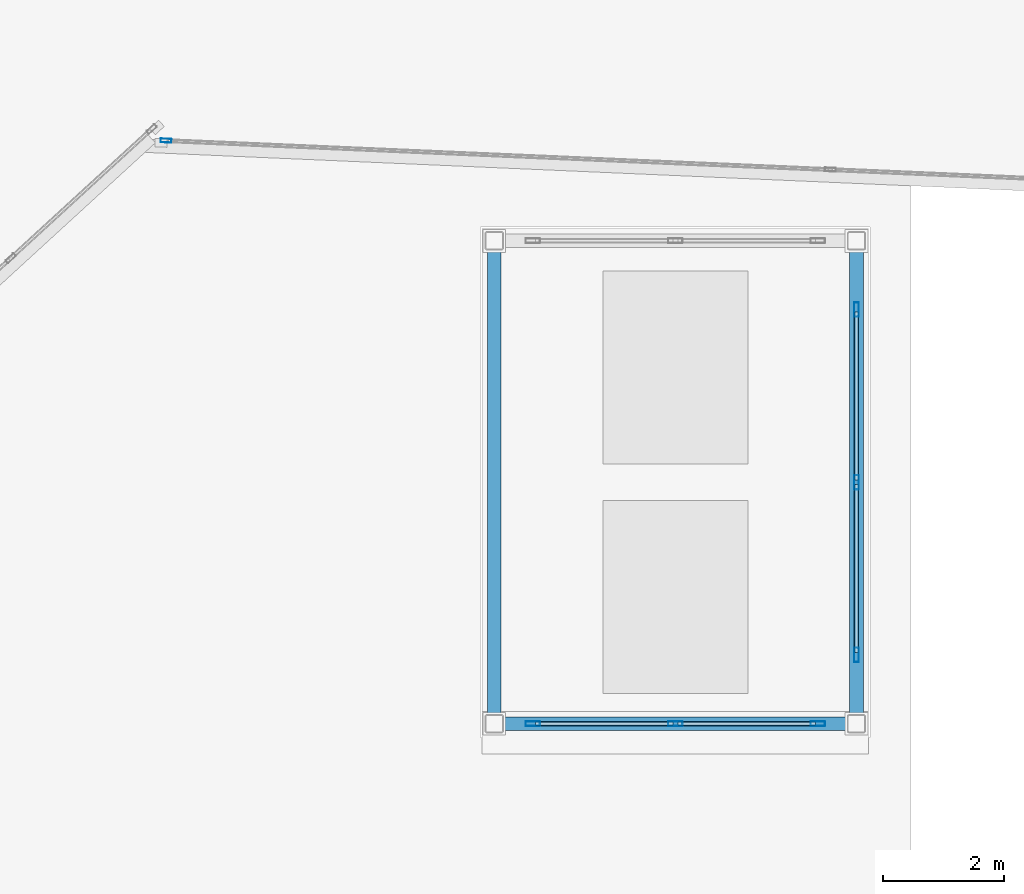
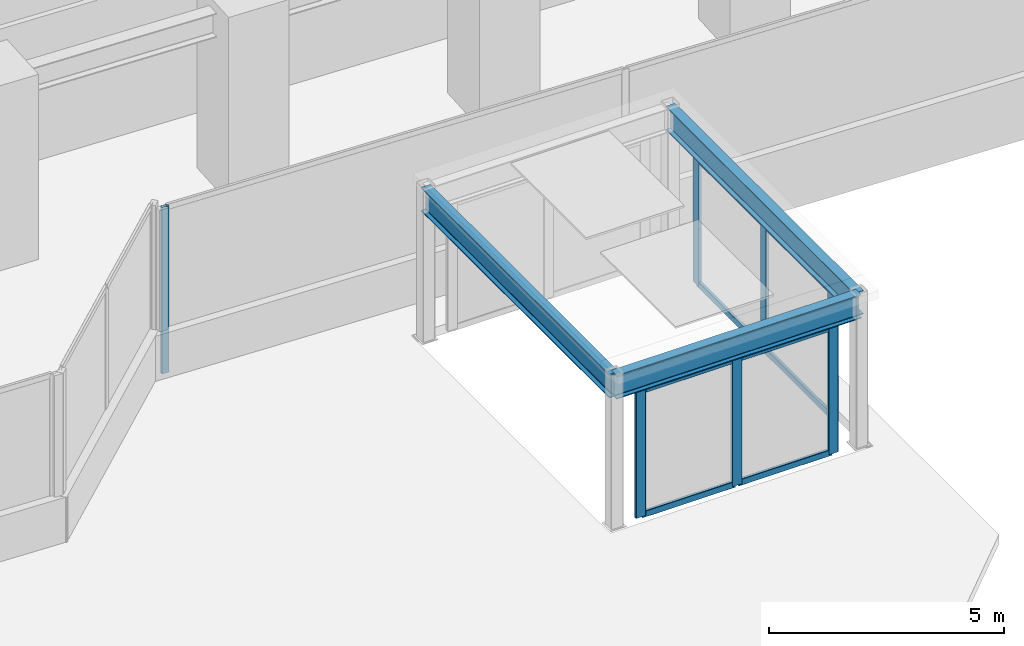
# One storey, part 10 of 33: 15 members, 3 beams, 3 elements without a shape of their own.
"""IFC4 building model written with IfcOpenShell, lengths in metres."""

from ifc_helpers import new_model, si_unit, direction, frame, origin, origin_2d, place, context, subcontext, project, spatial, hollow_rectangle, i_section, extrude, source, transform, mapped, material, material_profile, profile_set, type_object, element, aggregate, save


model = new_model("IFC4")

# Units and contexts
model_context = context("Model", 3, precision=1e-05, world=origin(), true_north=direction((0.0, 1.0)))
body_context = subcontext(model_context, "Body", "Model", "MODEL_VIEW")
ifc_project = project(units=[si_unit("LENGTHUNIT", "METRE"), si_unit("AREAUNIT", "SQUARE_METRE"), si_unit("VOLUMEUNIT", "CUBIC_METRE"), si_unit("PLANEANGLEUNIT", "RADIAN"), si_unit("MASSUNIT", "GRAM", prefix="KILO")], contexts=[model_context])

# Site, building, storey
site_placement = place(None, origin())
site = spatial("IfcSite", under=ifc_project, at=site_placement, CompositionType="ELEMENT")
building_placement = place(site_placement, origin())
building = spatial("IfcBuilding", under=site, at=building_placement, Name="Torre Montelarca", CompositionType="ELEMENT")
storey_placement = place(building_placement, frame((0.0, 0.0, 32.800048828125)))
storey = spatial("IfcBuildingStorey", under=building, at=storey_placement, Name="L07", CompositionType="ELEMENT", Elevation=32.800048828125)

# Beams
ifc_material_1 = material(Name="Steel ASTM A992 Grade 50", Category="steel")
ifc_material_profile_1 = material_profile(ifc_material_1, i_section(OverallWidth=0.22998046875, OverallDepth=0.616943359375, WebThickness=0.01318359375, FlangeThickness=0.022216796875, FilletRadius=0.014892578125, at=origin_2d()), Name="W610X140", Category="steel")
ifc_profile_set_1 = profile_set([ifc_material_profile_1], Name="Steel ASTM A992 Grade 50")
beam_type = type_object("IfcBeamType", Name="BM-G-W610-EXT", PredefinedType="BEAM", material=ifc_profile_set_1)
shared_shape_1 = source(origin(), body_context, "Body", "SweptSolid", [
    extrude(i_section(OverallWidth=0.22998046875, OverallDepth=0.616943359375, WebThickness=0.01318359375, FlangeThickness=0.022216796875, FilletRadius=0.014892578125, at=origin_2d()), origin(), (0.0, 0.0, 1.0), 6.0),
])
beam_placement = place(storey_placement, frame((42.0, 8.0, 3.63134765625), z_axis=(1.0, 0.0, 0.0), x_axis=(0.0, 1.0, 0.0)))
element("IfcBeam", 1, at=beam_placement, inside=storey, type_object=beam_type, Name="L07 Exchange Atrium Lantern Ring Beam 1", PredefinedType="BEAM", context=body_context, shape_type="MappedRepresentation", body=[
    mapped(shared_shape_1, transform((0.0, 0.0, 0.0), scale=1.0)),
])
shared_shape_2 = source(origin(), body_context, "Body", "SweptSolid", [
    extrude(i_section(OverallWidth=0.22998046875, OverallDepth=0.616943359375, WebThickness=0.01318359375, FlangeThickness=0.022216796875, FilletRadius=0.014892578125, at=origin_2d()), origin(), (0.0, 0.0, 1.0), 8.0),
])
for number, where, z_axis, x_axis, name in (
    (2, (48.0, 8.0, 3.63134765625), (0.0, 1.0, 0.0), (-1.0, 0.0, 0.0), "L07 Exchange Atrium Lantern Ring Beam 2"),
    (3, (42.0, 16.0, 3.63134765625), (0.0, -1.0, 0.0), (1.0, 0.0, 0.0), "L07 Exchange Atrium Lantern Ring Beam 4"),
):
    element("IfcBeam", number, at=place(storey_placement, frame(where, z_axis=z_axis, x_axis=x_axis)), inside=storey, type_object=beam_type, Name=name, PredefinedType="BEAM", context=body_context, shape_type="MappedRepresentation", body=[
        mapped(shared_shape_2, transform((0.0, 0.0, 0.0), scale=1.0)),
    ])

# Curtain wall, member
ifc_material_2 = material(Name="Insulated low-E laminated glass", Category="glass")
curtain_wall_type_1 = type_object("IfcCurtainWallType", Name="CW-SYS-Z1", PredefinedType="USERDEFINED", material=ifc_material_2)
curtain_wall_1_placement = place(storey_placement, origin())
curtain_wall_1 = element("IfcCurtainWall", 4, at=curtain_wall_1_placement, inside=storey, type_object=curtain_wall_type_1, Name="L07 Curtain Wall Run CW-T3-L07-E04-B1", ObjectType="UNITISED GLAZING", PredefinedType="USERDEFINED")
ifc_material_3 = material(Name="Anodised aluminium AA 6063-T6", Category="aluminium")
ifc_material_profile_2 = material_profile(ifc_material_3, hollow_rectangle(XDim=0.06494140625, YDim=0.179931640625, WallThickness=0.00390625, InnerFilletRadius=0.00390625, OuterFilletRadius=0.008056640625, at=origin_2d()), Name="ALU65X180X4", Category="aluminium")
ifc_profile_set_2 = profile_set([ifc_material_profile_2], Name="Anodised aluminium AA 6063-T6")
member_type_1 = type_object("IfcMemberType", Name="CWM-ALU180", PredefinedType="MULLION", material=ifc_profile_set_2)
shared_shape_3 = source(origin(), body_context, "Body", "SweptSolid", [
    extrude(hollow_rectangle(XDim=0.06494140625, YDim=0.179931640625, WallThickness=0.00390625, InnerFilletRadius=0.00390625, OuterFilletRadius=0.008056640625, at=origin_2d()), origin(), (0.0, 0.0, 1.0), 4.320068359375),
])
member_1_placement = place(storey_placement, frame((36.5634765625, 17.6591796875, 0.0), z_axis=(0.0, 0.0, 1.0), x_axis=(0.043617352644, 0.999048310418, 0.0)))
member_1 = element("IfcMember", 5, at=member_1_placement, type_object=member_type_1, Name="CW mullion 1", PredefinedType="MULLION", context=body_context, shape_type="MappedRepresentation", body=[
    mapped(shared_shape_3, transform((0.0, 0.0, 0.0), scale=1.0)),
])
aggregate(curtain_wall_1, [member_1])

# Curtain wall, members
ifc_material_4 = material(Name="Amber translucent laminated glass", Category="glass")
curtain_wall_type_2 = type_object("IfcCurtainWallType", Name="CW-SYS-LANT", PredefinedType="USERDEFINED", material=ifc_material_4)
curtain_wall_2_placement = place(storey_placement, origin())
curtain_wall_2 = element("IfcCurtainWall", 6, at=curtain_wall_2_placement, inside=storey, type_object=curtain_wall_type_2, Name="L07 Exchange Atrium Lantern Clerestory S", ObjectType="TRANSLUCENT LANTERN", PredefinedType="USERDEFINED")
ifc_material_profile_3 = material_profile(ifc_material_3, hollow_rectangle(XDim=0.080078125, YDim=0.239990234375, WallThickness=0.0048828125, InnerFilletRadius=0.0048828125, OuterFilletRadius=0.010009765625, at=origin_2d()), Name="ALU80X240X5", Category="aluminium")
ifc_profile_set_3 = profile_set([ifc_material_profile_3], Name="Anodised aluminium AA 6063-T6")
member_type_2 = type_object("IfcMemberType", Name="CWM-ALU240", PredefinedType="MULLION", material=ifc_profile_set_3)
shared_shape_4 = source(origin(), body_context, "Body", "SweptSolid", [
    extrude(hollow_rectangle(XDim=0.080078125, YDim=0.239990234375, WallThickness=0.0048828125, InnerFilletRadius=0.0048828125, OuterFilletRadius=0.010009765625, at=origin_2d()), origin(), (0.0, 0.0, 1.0), 3.300048828125),
])
member_2_placement = place(storey_placement, frame((42.639892578125, 8.0, 0.0), z_axis=(0.0, 0.0, 1.0), x_axis=(0.0, 1.0, 0.0)))
member_2 = element("IfcMember", 7, at=member_2_placement, type_object=member_type_2, Name="CW mullion 1", PredefinedType="MULLION", context=body_context, shape_type="MappedRepresentation", body=[
    mapped(shared_shape_4, transform((0.0, 0.0, 0.0), scale=1.0)),
])
member_3_placement = place(storey_placement, frame((45.0, 8.0, 0.0), z_axis=(0.0, 0.0, 1.0), x_axis=(0.0, 1.0, 0.0)))
member_3 = element("IfcMember", 8, at=member_3_placement, type_object=member_type_2, Name="CW mullion 2", PredefinedType="MULLION", context=body_context, shape_type="MappedRepresentation", body=[
    mapped(shared_shape_4, transform((0.0, 0.0, 0.0), scale=1.0)),
])
member_4_placement = place(storey_placement, frame((47.360107421875, 8.0, 0.0), z_axis=(0.0, 0.0, 1.0), x_axis=(0.0, 1.0, 0.0)))
member_4 = element("IfcMember", 9, at=member_4_placement, type_object=member_type_2, Name="CW mullion 3", PredefinedType="MULLION", context=body_context, shape_type="MappedRepresentation", body=[
    mapped(shared_shape_4, transform((0.0, 0.0, 0.0), scale=1.0)),
])

curtain_wall_3_placement = place(storey_placement, origin())
curtain_wall_3 = element("IfcCurtainWall", 10, at=curtain_wall_3_placement, inside=storey, type_object=curtain_wall_type_2, Name="L07 Exchange Atrium Lantern Clerestory E", ObjectType="TRANSLUCENT LANTERN", PredefinedType="USERDEFINED")
member_5_placement = place(storey_placement, frame((48.0, 9.139892578125, 0.0), z_axis=(0.0, 0.0, 1.0), x_axis=(-1.0, 0.0, 0.0)))
member_5 = element("IfcMember", 11, at=member_5_placement, type_object=member_type_2, Name="CW mullion 1", PredefinedType="MULLION", context=body_context, shape_type="MappedRepresentation", body=[
    mapped(shared_shape_4, transform((0.0, 0.0, 0.0), scale=1.0)),
])
member_6_placement = place(storey_placement, frame((48.0, 12.0, 0.0), z_axis=(0.0, 0.0, 1.0), x_axis=(-1.0, 0.0, 0.0)))
member_6 = element("IfcMember", 12, at=member_6_placement, type_object=member_type_2, Name="CW mullion 2", PredefinedType="MULLION", context=body_context, shape_type="MappedRepresentation", body=[
    mapped(shared_shape_4, transform((0.0, 0.0, 0.0), scale=1.0)),
])
member_7_placement = place(storey_placement, frame((48.0, 14.860107421875, 0.0), z_axis=(0.0, 0.0, 1.0), x_axis=(-1.0, 0.0, 0.0)))
member_7 = element("IfcMember", 13, at=member_7_placement, type_object=member_type_2, Name="CW mullion 3", PredefinedType="MULLION", context=body_context, shape_type="MappedRepresentation", body=[
    mapped(shared_shape_4, transform((0.0, 0.0, 0.0), scale=1.0)),
])

# Member
ifc_material_profile_4 = material_profile(ifc_material_3, hollow_rectangle(XDim=0.074951171875, YDim=0.159912109375, WallThickness=0.0048828125, InnerFilletRadius=0.0048828125, OuterFilletRadius=0.010009765625, at=origin_2d()), Name="ALU75X160X5", Category="aluminium")
ifc_profile_set_4 = profile_set([ifc_material_profile_4], Name="Anodised aluminium AA 6063-T6")
member_type_3 = type_object("IfcMemberType", Name="CWT-ALU160", PredefinedType="USERDEFINED", material=ifc_profile_set_4)
shared_shape_5 = source(origin(), body_context, "Body", "SweptSolid", [
    extrude(hollow_rectangle(XDim=0.074951171875, YDim=0.159912109375, WallThickness=0.0048828125, InnerFilletRadius=0.0048828125, OuterFilletRadius=0.010009765625, at=origin_2d()), origin(), (0.0, 0.0, 1.0), 2.280029296875),
])
member_8_placement = place(storey_placement, frame((42.679931640625, 8.0, 0.037353515625), z_axis=(1.0, 0.0, 0.0), x_axis=(0.0, 1.0, 0.0)))
member_8 = element("IfcMember", 14, at=member_8_placement, type_object=member_type_3, Name="CW transom 1.1", ObjectType="TRANSOM", PredefinedType="USERDEFINED", context=body_context, shape_type="MappedRepresentation", body=[
    mapped(shared_shape_5, transform((0.0, 0.0, 0.0), scale=1.0)),
])

member_9_placement = place(storey_placement, frame((42.679931640625, 8.0, 3.262451171875), z_axis=(1.0, 0.0, 0.0), x_axis=(0.0, 1.0, 0.0)))
member_9 = element("IfcMember", 15, at=member_9_placement, type_object=member_type_3, Name="CW transom 1.2", ObjectType="TRANSOM", PredefinedType="USERDEFINED", context=body_context, shape_type="MappedRepresentation", body=[
    mapped(shared_shape_5, transform((0.0, 0.0, 0.0), scale=1.0)),
])

member_10_placement = place(storey_placement, frame((45.0400390625, 8.0, 0.037353515625), z_axis=(1.0, 0.0, 0.0), x_axis=(0.0, 1.0, 0.0)))
member_10 = element("IfcMember", 16, at=member_10_placement, type_object=member_type_3, Name="CW transom 2.1", ObjectType="TRANSOM", PredefinedType="USERDEFINED", context=body_context, shape_type="MappedRepresentation", body=[
    mapped(shared_shape_5, transform((0.0, 0.0, 0.0), scale=1.0)),
])

member_11_placement = place(storey_placement, frame((45.0400390625, 8.0, 3.262451171875), z_axis=(1.0, 0.0, 0.0), x_axis=(0.0, 1.0, 0.0)))
member_11 = element("IfcMember", 17, at=member_11_placement, type_object=member_type_3, Name="CW transom 2.2", ObjectType="TRANSOM", PredefinedType="USERDEFINED", context=body_context, shape_type="MappedRepresentation", body=[
    mapped(shared_shape_5, transform((0.0, 0.0, 0.0), scale=1.0)),
])

aggregate(curtain_wall_2, [member_2, member_3, member_4, member_8, member_9, member_10, member_11])

shared_shape_6 = source(origin(), body_context, "Body", "SweptSolid", [
    extrude(hollow_rectangle(XDim=0.074951171875, YDim=0.159912109375, WallThickness=0.0048828125, InnerFilletRadius=0.0048828125, OuterFilletRadius=0.010009765625, at=origin_2d()), origin(), (0.0, 0.0, 1.0), 2.780029296875),
])
member_12_placement = place(storey_placement, frame((48.0, 9.179931640625, 0.037353515625), z_axis=(0.0, 1.0, 0.0), x_axis=(-1.0, 0.0, 0.0)))
member_12 = element("IfcMember", 18, at=member_12_placement, type_object=member_type_3, Name="CW transom 1.1", ObjectType="TRANSOM", PredefinedType="USERDEFINED", context=body_context, shape_type="MappedRepresentation", body=[
    mapped(shared_shape_6, transform((0.0, 0.0, 0.0), scale=1.0)),
])

member_13_placement = place(storey_placement, frame((48.0, 9.179931640625, 3.262451171875), z_axis=(0.0, 1.0, 0.0), x_axis=(-1.0, 0.0, 0.0)))
member_13 = element("IfcMember", 19, at=member_13_placement, type_object=member_type_3, Name="CW transom 1.2", ObjectType="TRANSOM", PredefinedType="USERDEFINED", context=body_context, shape_type="MappedRepresentation", body=[
    mapped(shared_shape_6, transform((0.0, 0.0, 0.0), scale=1.0)),
])

member_14_placement = place(storey_placement, frame((48.0, 12.0400390625, 0.037353515625), z_axis=(0.0, 1.0, 0.0), x_axis=(-1.0, 0.0, 0.0)))
member_14 = element("IfcMember", 20, at=member_14_placement, type_object=member_type_3, Name="CW transom 2.1", ObjectType="TRANSOM", PredefinedType="USERDEFINED", context=body_context, shape_type="MappedRepresentation", body=[
    mapped(shared_shape_6, transform((0.0, 0.0, 0.0), scale=1.0)),
])

member_15_placement = place(storey_placement, frame((48.0, 12.0400390625, 3.262451171875), z_axis=(0.0, 1.0, 0.0), x_axis=(-1.0, 0.0, 0.0)))
member_15 = element("IfcMember", 21, at=member_15_placement, type_object=member_type_3, Name="CW transom 2.2", ObjectType="TRANSOM", PredefinedType="USERDEFINED", context=body_context, shape_type="MappedRepresentation", body=[
    mapped(shared_shape_6, transform((0.0, 0.0, 0.0), scale=1.0)),
])

aggregate(curtain_wall_3, [member_5, member_6, member_7, member_12, member_13, member_14, member_15])

save(model, "model.ifc")
